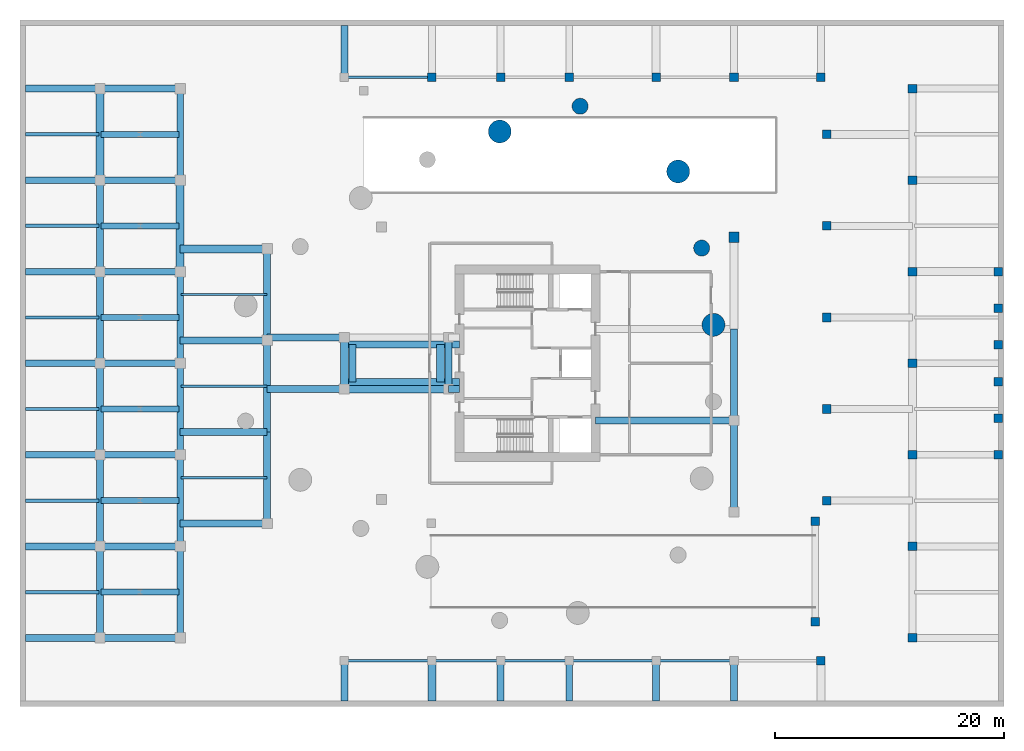
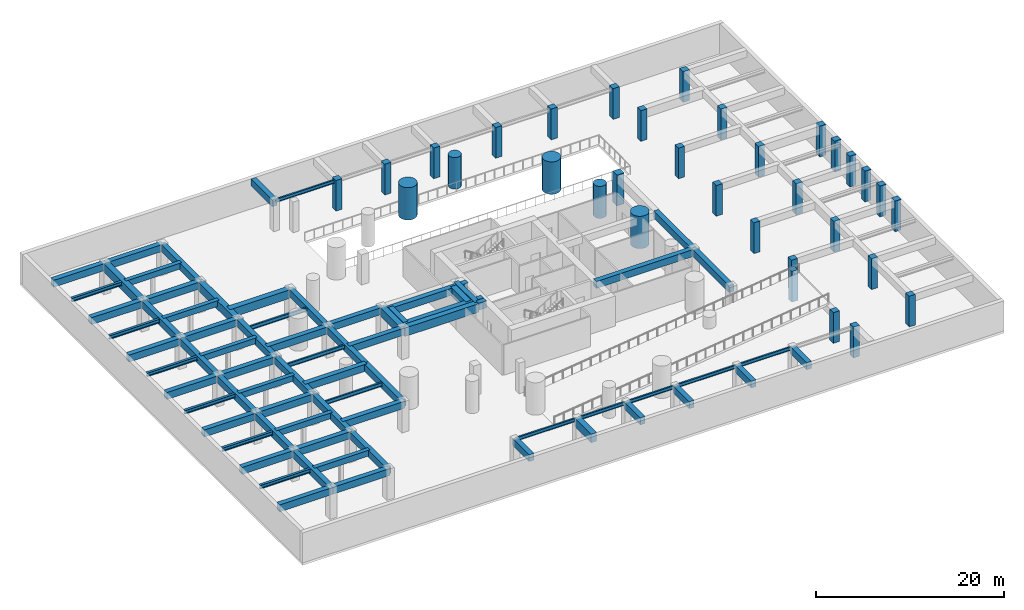
# One storey, part 4 of 10: 74 beams, 33 columns.
"""IFC4 building model written with IfcOpenShell, lengths in metres."""

from ifc_helpers import new_model, si_unit, direction, frame, origin, origin_2d, place, context, subcontext, project, spatial, rectangle, circle, i_section, extrude, source, transform, mapped, material, material_profile, profile_set, type_object, element, save


model = new_model("IFC4")

# Units and contexts
model_context = context("Model", 3, precision=1e-05, world=origin(), true_north=direction((0.0, 1.0)))
body_context = subcontext(model_context, "Body", "Model", "MODEL_VIEW")
ifc_project = project(units=[si_unit("LENGTHUNIT", "METRE"), si_unit("AREAUNIT", "SQUARE_METRE"), si_unit("VOLUMEUNIT", "CUBIC_METRE"), si_unit("PLANEANGLEUNIT", "RADIAN"), si_unit("MASSUNIT", "GRAM", prefix="KILO")], contexts=[model_context])

# Site, building, storey
site_placement = place(None, origin())
site = spatial("IfcSite", under=ifc_project, at=site_placement, CompositionType="ELEMENT")
building_placement = place(site_placement, origin())
building = spatial("IfcBuilding", under=site, at=building_placement, Name="Qafzar Sky-Pleat Residences", CompositionType="ELEMENT")
storey_placement = place(building_placement, frame((0.0, 0.0, -4.199951171875)))
storey = spatial("IfcBuildingStorey", under=building, at=storey_placement, Name="B01", CompositionType="ELEMENT", Elevation=-4.199951171875)

# Columns
ifc_material_1 = material(Name="Concrete C60/75", Category="concrete")
ifc_material_profile_1 = material_profile(ifc_material_1, circle(Radius=1.0, at=origin_2d()), Name="RC D2000")
ifc_profile_set_1 = profile_set([ifc_material_profile_1], Name="Concrete C60/75")
column_type_1 = type_object("IfcColumnType", Name="COL-STILT-D2000", PredefinedType="COLUMN", material=ifc_profile_set_1)
shared_shape_1 = source(origin(), body_context, "Body", "SweptSolid", [
    extrude(circle(Radius=1.0, at=origin_2d()), origin(), (0.0, 0.0, 1.0), 4.195068359375),
])
for number, where, z_axis, x_axis, name in (
    (1, (46.610107421875, 29.357421875, 0.0), (0.0, 0.0, 1.0), (1.0, 0.0, 0.0), "B01 Mega-Column STILT-06"),
    (2, (43.522216796875, 42.759765625, 0.0), (0.0, 0.0, 1.0), (1.0, 0.0, 0.0), "B01 Mega-Column STILT-07"),
    (3, (27.928466796875, 46.256103515625, 0.0), (0.0, 0.0, 1.0), (1.0, 0.0, 0.0), "B01 Mega-Column STILT-08"),
):
    element("IfcColumn", number, at=place(storey_placement, frame(where, z_axis=z_axis, x_axis=x_axis)), inside=storey, type_object=column_type_1, Name=name, PredefinedType="COLUMN", context=body_context, shape_type="MappedRepresentation", body=[
        mapped(shared_shape_1, transform((0.0, 0.0, 0.0), x_axis=(1.0, 0.0, 0.0), y_axis=(0.0, 1.0, 0.0), z_axis=(0.0, 0.0, 1.0), scale=1.0)),
    ])
ifc_material_profile_2 = material_profile(ifc_material_1, circle(Radius=0.699951171875, at=origin_2d()), Name="RC D1400")
ifc_profile_set_2 = profile_set([ifc_material_profile_2], Name="Concrete C60/75")
column_type_2 = type_object("IfcColumnType", Name="COL-MEGA-D1400", PredefinedType="COLUMN", material=ifc_profile_set_2)
shared_shape_2 = source(origin(), body_context, "Body", "SweptSolid", [
    extrude(circle(Radius=0.699951171875, at=origin_2d()), origin(), (0.0, 0.0, 1.0), 4.1572265625),
])
column_1_placement = place(storey_placement, frame((45.578125, 36.06591796875, 0.0), z_axis=(0.0, 0.0, 1.0), x_axis=(1.0, 0.0, 0.0)))
element("IfcColumn", 4, at=column_1_placement, inside=storey, type_object=column_type_2, Name="B01 Branch Mega-Column STILT-BR-06", PredefinedType="COLUMN", context=body_context, shape_type="MappedRepresentation", body=[
    mapped(shared_shape_2, transform((0.0, 0.0, 0.0), x_axis=(1.0, 0.0, 0.0), y_axis=(0.0, 1.0, 0.0), z_axis=(0.0, 0.0, 1.0), scale=1.0)),
])
shared_shape_3 = source(origin(), body_context, "Body", "SweptSolid", [
    extrude(circle(Radius=0.699951171875, at=origin_2d()), origin(), (0.0, 0.0, 1.0), 4.091552734375),
])
column_2_placement = place(storey_placement, frame((34.951416015625, 48.462646484375, 0.0), z_axis=(0.0, 0.0, 1.0), x_axis=(1.0, 0.0, 0.0)))
element("IfcColumn", 5, at=column_2_placement, inside=storey, type_object=column_type_2, Name="B01 Branch Mega-Column STILT-BR-07", PredefinedType="COLUMN", context=body_context, shape_type="MappedRepresentation", body=[
    mapped(shared_shape_3, transform((0.0, 0.0, 0.0), x_axis=(1.0, 0.0, 0.0), y_axis=(0.0, 1.0, 0.0), z_axis=(0.0, 0.0, 1.0), scale=1.0)),
])
ifc_material_profile_3 = material_profile(ifc_material_1, rectangle(XDim=0.89990234375, YDim=0.89990234375, at=origin_2d()), Name="RC 900x900")
ifc_profile_set_3 = profile_set([ifc_material_profile_3], Name="Concrete C60/75")
column_type_3 = type_object("IfcColumnType", Name="COL-RC-900", PredefinedType="COLUMN", material=ifc_profile_set_3)
shared_shape_4 = source(origin(), body_context, "Body", "SweptSolid", [
    extrude(rectangle(XDim=0.89990234375, YDim=0.89990234375, at=origin_2d()), origin(), (0.0, 0.0, 1.0), 3.98486328125),
])
column_3_placement = place(storey_placement, frame((48.39990234375, 37.0, 0.0), z_axis=(0.0, 0.0, 1.0), x_axis=(1.0, 0.0, 0.0)))
element("IfcColumn", 6, at=column_3_placement, inside=storey, type_object=column_type_3, Name="B01 Substructure Column 20", PredefinedType="COLUMN", context=body_context, shape_type="MappedRepresentation", body=[
    mapped(shared_shape_4, transform((0.0, 0.0, 0.0), x_axis=(1.0, 0.0, 0.0), y_axis=(0.0, 1.0, 0.0), z_axis=(0.0, 0.0, 1.0), scale=1.0)),
])
ifc_material_profile_4 = material_profile(ifc_material_1, rectangle(XDim=0.75, YDim=0.75, at=origin_2d()), Name="RC 750x750")
ifc_profile_set_4 = profile_set([ifc_material_profile_4], Name="Concrete C60/75")
column_type_4 = type_object("IfcColumnType", Name="COL-RC-750", PredefinedType="COLUMN", material=ifc_profile_set_4)
shared_shape_5 = source(origin(), body_context, "Body", "SweptSolid", [
    extrude(rectangle(XDim=0.75, YDim=0.75, at=origin_2d()), origin(), (0.0, 0.0, 1.0), 3.98486328125),
])
for number, where, z_axis, x_axis, name in (
    (7, (56.0, 0.0, 0.0), (0.0, 0.0, 1.0), (1.0, 0.0, 0.0), "B01 Substructure Column 35"),
    (8, (22.0, 51.0, 0.0), (0.0, 0.0, 1.0), (1.0, 0.0, 0.0), "B01 Substructure Column 37"),
    (9, (28.0, 51.0, 0.0), (0.0, 0.0, 1.0), (1.0, 0.0, 0.0), "B01 Substructure Column 38"),
    (10, (34.0, 51.0, 0.0), (0.0, 0.0, 1.0), (1.0, 0.0, 0.0), "B01 Substructure Column 39"),
    (11, (41.60009765625, 51.0, 0.0), (0.0, 0.0, 1.0), (1.0, 0.0, 0.0), "B01 Substructure Column 40"),
    (12, (48.39990234375, 51.0, 0.0), (0.0, 0.0, 1.0), (1.0, 0.0, 0.0), "B01 Substructure Column 41"),
    (13, (56.0, 51.0, 0.0), (0.0, 0.0, 1.0), (1.0, 0.0, 0.0), "B01 Substructure Column 42"),
    (14, (55.5, 3.39990234375, 0.0), (0.0, 0.0, 1.0), (1.0, 0.0, 0.0), "B01 Substructure Column 43"),
    (15, (55.5, 12.199951171875, 0.0), (0.0, 0.0, 1.0), (1.0, 0.0, 0.0), "B01 Substructure Column 44"),
    (16, (56.5, 14.0, 0.0), (0.0, 0.0, 1.0), (1.0, 0.0, 0.0), "B01 Substructure Column 45"),
    (17, (56.5, 22.0, 0.0), (0.0, 0.0, 1.0), (1.0, 0.0, 0.0), "B01 Substructure Column 46"),
    (18, (56.5, 30.0, 0.0), (0.0, 0.0, 1.0), (1.0, 0.0, 0.0), "B01 Substructure Column 47"),
    (19, (56.5, 38.0, 0.0), (0.0, 0.0, 1.0), (1.0, 0.0, 0.0), "B01 Substructure Column 48"),
    (20, (56.5, 46.0, 0.0), (0.0, 0.0, 1.0), (1.0, 0.0, 0.0), "B01 Substructure Column 49"),
    (21, (64.0, 2.0, 0.0), (0.0, 0.0, 1.0), (1.0, 0.0, 0.0), "B01 Substructure Column 50"),
    (22, (64.0, 10.0, 0.0), (0.0, 0.0, 1.0), (1.0, 0.0, 0.0), "B01 Substructure Column 51"),
    (23, (64.0, 18.0, 0.0), (0.0, 0.0, 1.0), (1.0, 0.0, 0.0), "B01 Substructure Column 52"),
    (24, (64.0, 26.0, 0.0), (0.0, 0.0, 1.0), (1.0, 0.0, 0.0), "B01 Substructure Column 53"),
    (25, (64.0, 34.0, 0.0), (0.0, 0.0, 1.0), (1.0, 0.0, 0.0), "B01 Substructure Column 54"),
    (26, (64.0, 42.0, 0.0), (0.0, 0.0, 1.0), (1.0, 0.0, 0.0), "B01 Substructure Column 55"),
    (27, (64.0, 50.0, 0.0), (0.0, 0.0, 1.0), (1.0, 0.0, 0.0), "B01 Substructure Column 56"),
    (28, (71.5, 18.0, 0.0), (0.0, 0.0, 1.0), (1.0, 0.0, 0.0), "B01 Substructure Column 57"),
    (29, (71.5, 21.199951171875, 0.0), (0.0, 0.0, 1.0), (1.0, 0.0, 0.0), "B01 Substructure Column 58"),
    (30, (71.5, 24.39990234375, 0.0), (0.0, 0.0, 1.0), (1.0, 0.0, 0.0), "B01 Substructure Column 59"),
    (31, (71.5, 27.60009765625, 0.0), (0.0, 0.0, 1.0), (1.0, 0.0, 0.0), "B01 Substructure Column 60"),
    (32, (71.5, 30.800048828125, 0.0), (0.0, 0.0, 1.0), (1.0, 0.0, 0.0), "B01 Substructure Column 61"),
    (33, (71.5, 34.0, 0.0), (0.0, 0.0, 1.0), (1.0, 0.0, 0.0), "B01 Substructure Column 62"),
):
    element("IfcColumn", number, at=place(storey_placement, frame(where, z_axis=z_axis, x_axis=x_axis)), inside=storey, type_object=column_type_4, Name=name, PredefinedType="COLUMN", context=body_context, shape_type="MappedRepresentation", body=[
        mapped(shared_shape_5, transform((0.0, 0.0, 0.0), x_axis=(1.0, 0.0, 0.0), y_axis=(0.0, 1.0, 0.0), z_axis=(0.0, 0.0, 1.0), scale=1.0)),
    ])

# Beams
ifc_material_2 = material(Name="Concrete C50/60", Category="concrete")
ifc_material_profile_5 = material_profile(ifc_material_2, rectangle(XDim=0.60009765625, YDim=0.89990234375, at=origin_2d()), Name="RC 600x900")
ifc_profile_set_5 = profile_set([ifc_material_profile_5], Name="Concrete C50/60")
beam_type_1 = type_object("IfcBeamType", Name="BM-RC-600x900", PredefinedType="BEAM", material=ifc_profile_set_5)
shared_shape_6 = source(origin(), body_context, "Body", "SweptSolid", [
    extrude(rectangle(XDim=0.60009765625, YDim=0.89990234375, at=origin_2d()), origin(), (0.0, 0.0, 1.0), 6.5),
])
for number, where, z_axis, x_axis, name in (
    (34, (-13.5, 2.0, 3.449951171875), (1.0, 0.0, 0.0), (0.0, 1.0, 0.0), "B01 Basement Girder 1"),
    (35, (-13.5, 10.0, 3.449951171875), (1.0, 0.0, 0.0), (0.0, 1.0, 0.0), "B01 Basement Girder 2"),
    (36, (-13.5, 18.0, 3.449951171875), (1.0, 0.0, 0.0), (0.0, 1.0, 0.0), "B01 Basement Girder 3"),
    (37, (-13.5, 26.0, 3.449951171875), (1.0, 0.0, 0.0), (0.0, 1.0, 0.0), "B01 Basement Girder 4"),
    (38, (-13.5, 34.0, 3.449951171875), (1.0, 0.0, 0.0), (0.0, 1.0, 0.0), "B01 Basement Girder 5"),
    (39, (-13.5, 42.0, 3.449951171875), (1.0, 0.0, 0.0), (0.0, 1.0, 0.0), "B01 Basement Girder 6"),
    (40, (-13.5, 50.0, 3.449951171875), (1.0, 0.0, 0.0), (0.0, 1.0, 0.0), "B01 Basement Girder 7"),
):
    element("IfcBeam", number, at=place(storey_placement, frame(where, z_axis=z_axis, x_axis=x_axis)), inside=storey, type_object=beam_type_1, Name=name, PredefinedType="BEAM", context=body_context, shape_type="MappedRepresentation", body=[
        mapped(shared_shape_6, transform((0.0, 0.0, 0.0), x_axis=(1.0, 0.0, 0.0), y_axis=(0.0, 1.0, 0.0), z_axis=(0.0, 0.0, 1.0), scale=1.0)),
    ])
shared_shape_7 = source(origin(), body_context, "Body", "SweptSolid", [
    extrude(rectangle(XDim=0.60009765625, YDim=0.89990234375, at=origin_2d()), origin(), (0.0, 0.0, 1.0), 7.0),
])
for number, where, z_axis, x_axis, name in (
    (41, (-7.0, 2.0, 3.449951171875), (1.0, 0.0, 0.0), (0.0, 1.0, 0.0), "B01 Basement Girder 8"),
    (42, (-7.0, 10.0, 3.449951171875), (1.0, 0.0, 0.0), (0.0, 1.0, 0.0), "B01 Basement Girder 9"),
    (43, (-7.0, 18.0, 3.449951171875), (1.0, 0.0, 0.0), (0.0, 1.0, 0.0), "B01 Basement Girder 10"),
    (44, (-7.0, 26.0, 3.449951171875), (1.0, 0.0, 0.0), (0.0, 1.0, 0.0), "B01 Basement Girder 11"),
    (45, (-7.0, 34.0, 3.449951171875), (1.0, 0.0, 0.0), (0.0, 1.0, 0.0), "B01 Basement Girder 12"),
    (46, (-7.0, 42.0, 3.449951171875), (1.0, 0.0, 0.0), (0.0, 1.0, 0.0), "B01 Basement Girder 13"),
    (47, (-7.0, 50.0, 3.449951171875), (1.0, 0.0, 0.0), (0.0, 1.0, 0.0), "B01 Basement Girder 14"),
):
    element("IfcBeam", number, at=place(storey_placement, frame(where, z_axis=z_axis, x_axis=x_axis)), inside=storey, type_object=beam_type_1, Name=name, PredefinedType="BEAM", context=body_context, shape_type="MappedRepresentation", body=[
        mapped(shared_shape_7, transform((0.0, 0.0, 0.0), x_axis=(1.0, 0.0, 0.0), y_axis=(0.0, 1.0, 0.0), z_axis=(0.0, 0.0, 1.0), scale=1.0)),
    ])
shared_shape_8 = source(origin(), body_context, "Body", "SweptSolid", [
    extrude(rectangle(XDim=0.60009765625, YDim=0.89990234375, at=origin_2d()), origin(), (0.0, 0.0, 1.0), 8.0),
])
for number, where, z_axis, x_axis, name in (
    (48, (-7.0, 2.0, 3.449951171875), (0.0, 1.0, 0.0), (-1.0, 0.0, 0.0), "B01 Basement Girder 15"),
    (49, (-7.0, 10.0, 3.449951171875), (0.0, 1.0, 0.0), (-1.0, 0.0, 0.0), "B01 Basement Girder 16"),
    (50, (-7.0, 18.0, 3.449951171875), (0.0, 1.0, 0.0), (-1.0, 0.0, 0.0), "B01 Basement Girder 17"),
    (51, (-7.0, 26.0, 3.449951171875), (0.0, 1.0, 0.0), (-1.0, 0.0, 0.0), "B01 Basement Girder 18"),
    (52, (-7.0, 34.0, 3.449951171875), (0.0, 1.0, 0.0), (-1.0, 0.0, 0.0), "B01 Basement Girder 19"),
    (53, (0.0, 2.0, 3.449951171875), (0.0, 1.0, 0.0), (-1.0, 0.0, 0.0), "B01 Basement Girder 21"),
    (54, (0.0, 10.0, 3.449951171875), (0.0, 1.0, 0.0), (-1.0, 0.0, 0.0), "B01 Basement Girder 22"),
    (55, (0.0, 18.0, 3.449951171875), (0.0, 1.0, 0.0), (-1.0, 0.0, 0.0), "B01 Basement Girder 23"),
    (56, (0.0, 26.0, 3.449951171875), (0.0, 1.0, 0.0), (-1.0, 0.0, 0.0), "B01 Basement Girder 24"),
    (57, (0.0, 42.0, 3.449951171875), (0.0, 1.0, 0.0), (-1.0, 0.0, 0.0), "B01 Basement Girder 26"),
    (58, (7.60009765625, 12.0, 3.449951171875), (0.0, 1.0, 0.0), (-1.0, 0.0, 0.0), "B01 Basement Girder 31"),
    (59, (7.60009765625, 20.0, 3.449951171875), (0.0, 1.0, 0.0), (-1.0, 0.0, 0.0), "B01 Basement Girder 32"),
    (60, (7.60009765625, 28.0, 3.449951171875), (0.0, 1.0, 0.0), (-1.0, 0.0, 0.0), "B01 Basement Girder 33"),
    (61, (48.39990234375, 13.0, 3.449951171875), (0.0, 1.0, 0.0), (-1.0, 0.0, 0.0), "B01 Basement Girder 48"),
    (62, (48.39990234375, 21.0, 3.449951171875), (0.0, 1.0, 0.0), (-1.0, 0.0, 0.0), "B01 Basement Girder 49"),
):
    element("IfcBeam", number, at=place(storey_placement, frame(where, z_axis=z_axis, x_axis=x_axis)), inside=storey, type_object=beam_type_1, Name=name, PredefinedType="BEAM", context=body_context, shape_type="MappedRepresentation", body=[
        mapped(shared_shape_8, transform((0.0, 0.0, 0.0), x_axis=(1.0, 0.0, 0.0), y_axis=(0.0, 1.0, 0.0), z_axis=(0.0, 0.0, 1.0), scale=1.0)),
    ])
ifc_material_profile_6 = material_profile(ifc_material_2, rectangle(XDim=0.699951171875, YDim=1.10009765625, at=origin_2d()), Name="RC 700x1100")
ifc_profile_set_6 = profile_set([ifc_material_profile_6], Name="Concrete C50/60")
beam_type_2 = type_object("IfcBeamType", Name="BM-RC-700x1100", PredefinedType="BEAM", material=ifc_profile_set_6)
shared_shape_9 = source(origin(), body_context, "Body", "SweptSolid", [
    extrude(rectangle(XDim=0.699951171875, YDim=1.10009765625, at=origin_2d()), origin(), (0.0, 0.0, 1.0), 8.0),
])
for number, where, z_axis, x_axis, name in (
    (63, (-7.0, 42.0, 3.349853515625), (0.0, 1.0, 0.0), (-1.0, 0.0, 0.0), "B01 Basement Girder 20"),
    (64, (0.0, 34.0, 3.349853515625), (0.0, 1.0, 0.0), (-1.0, 0.0, 0.0), "B01 Basement Girder 25"),
):
    element("IfcBeam", number, at=place(storey_placement, frame(where, z_axis=z_axis, x_axis=x_axis)), inside=storey, type_object=beam_type_2, Name=name, PredefinedType="BEAM", context=body_context, shape_type="MappedRepresentation", body=[
        mapped(shared_shape_9, transform((0.0, 0.0, 0.0), x_axis=(1.0, 0.0, 0.0), y_axis=(0.0, 1.0, 0.0), z_axis=(0.0, 0.0, 1.0), scale=1.0)),
    ])
shared_shape_10 = source(origin(), body_context, "Body", "SweptSolid", [
    extrude(rectangle(XDim=0.60009765625, YDim=0.89990234375, at=origin_2d()), origin(), (0.0, 0.0, 1.0), 7.60009765625),
])
for number, where, z_axis, x_axis, name in (
    (65, (0.0, 12.0, 3.449951171875), (1.0, 0.0, 0.0), (0.0, 1.0, 0.0), "B01 Basement Girder 27"),
    (66, (0.0, 20.0, 3.449951171875), (1.0, 0.0, 0.0), (0.0, 1.0, 0.0), "B01 Basement Girder 28"),
    (67, (0.0, 28.0, 3.449951171875), (1.0, 0.0, 0.0), (0.0, 1.0, 0.0), "B01 Basement Girder 29"),
):
    element("IfcBeam", number, at=place(storey_placement, frame(where, z_axis=z_axis, x_axis=x_axis)), inside=storey, type_object=beam_type_1, Name=name, PredefinedType="BEAM", context=body_context, shape_type="MappedRepresentation", body=[
        mapped(shared_shape_10, transform((0.0, 0.0, 0.0), x_axis=(1.0, 0.0, 0.0), y_axis=(0.0, 1.0, 0.0), z_axis=(0.0, 0.0, 1.0), scale=1.0)),
    ])
shared_shape_11 = source(origin(), body_context, "Body", "SweptSolid", [
    extrude(rectangle(XDim=0.699951171875, YDim=1.10009765625, at=origin_2d()), origin(), (0.0, 0.0, 1.0), 7.60009765625),
])
beam_1_placement = place(storey_placement, frame((0.0, 36.0, 3.349853515625), z_axis=(1.0, 0.0, 0.0), x_axis=(0.0, 1.0, 0.0)))
element("IfcBeam", 68, at=beam_1_placement, inside=storey, type_object=beam_type_2, Name="B01 Basement Girder 30", PredefinedType="BEAM", context=body_context, shape_type="MappedRepresentation", body=[
    mapped(shared_shape_11, transform((0.0, 0.0, 0.0), x_axis=(1.0, 0.0, 0.0), y_axis=(0.0, 1.0, 0.0), z_axis=(0.0, 0.0, 1.0), scale=1.0)),
])
shared_shape_12 = source(origin(), body_context, "Body", "SweptSolid", [
    extrude(rectangle(XDim=0.60009765625, YDim=0.89990234375, at=origin_2d()), origin(), (0.0, 0.0, 1.0), 6.75),
])
for number, where, z_axis, x_axis, name in (
    (69, (7.60009765625, 23.75, 3.449951171875), (1.0, 0.0, 0.0), (0.0, 1.0, 0.0), "B01 Basement Girder 34"),
    (70, (7.60009765625, 28.25, 3.449951171875), (1.0, 0.0, 0.0), (0.0, 1.0, 0.0), "B01 Basement Girder 37"),
):
    element("IfcBeam", number, at=place(storey_placement, frame(where, z_axis=z_axis, x_axis=x_axis)), inside=storey, type_object=beam_type_1, Name=name, PredefinedType="BEAM", context=body_context, shape_type="MappedRepresentation", body=[
        mapped(shared_shape_12, transform((0.0, 0.0, 0.0), x_axis=(1.0, 0.0, 0.0), y_axis=(0.0, 1.0, 0.0), z_axis=(0.0, 0.0, 1.0), scale=1.0)),
    ])
shared_shape_13 = source(origin(), body_context, "Body", "SweptSolid", [
    extrude(rectangle(XDim=0.699951171875, YDim=1.10009765625, at=origin_2d()), origin(), (0.0, 0.0, 1.0), 9.099853515625),
])
beam_2_placement = place(storey_placement, frame((14.35009765625, 23.75, 3.349853515625), z_axis=(1.0, 0.0, 0.0), x_axis=(0.0, 1.0, 0.0)))
element("IfcBeam", 71, at=beam_2_placement, inside=storey, type_object=beam_type_2, Name="B01 Basement Girder 35", PredefinedType="BEAM", context=body_context, shape_type="MappedRepresentation", body=[
    mapped(shared_shape_13, transform((0.0, 0.0, 0.0), x_axis=(1.0, 0.0, 0.0), y_axis=(0.0, 1.0, 0.0), z_axis=(0.0, 0.0, 1.0), scale=1.0)),
])
shared_shape_14 = source(origin(), body_context, "Body", "SweptSolid", [
    extrude(rectangle(XDim=0.60009765625, YDim=0.89990234375, at=origin_2d()), origin(), (0.0, 0.0, 1.0), 0.949951171875),
])
beam_3_placement = place(storey_placement, frame((23.449951171875, 23.75, 3.449951171875), z_axis=(1.0, 0.0, 0.0), x_axis=(0.0, 1.0, 0.0)))
element("IfcBeam", 72, at=beam_3_placement, inside=storey, type_object=beam_type_1, Name="B01 Basement Girder 36", PredefinedType="BEAM", context=body_context, shape_type="MappedRepresentation", body=[
    mapped(shared_shape_14, transform((0.0, 0.0, 0.0), x_axis=(1.0, 0.0, 0.0), y_axis=(0.0, 1.0, 0.0), z_axis=(0.0, 0.0, 1.0), scale=1.0)),
])
shared_shape_15 = source(origin(), body_context, "Body", "SweptSolid", [
    extrude(rectangle(XDim=0.699951171875, YDim=1.10009765625, at=origin_2d()), origin(), (0.0, 0.0, 1.0), 4.5),
])
beam_4_placement = place(storey_placement, frame((14.35009765625, 23.75, 3.349853515625), z_axis=(0.0, 1.0, 0.0), x_axis=(-1.0, 0.0, 0.0)))
element("IfcBeam", 73, at=beam_4_placement, inside=storey, type_object=beam_type_2, Name="B01 Basement Girder 40", PredefinedType="BEAM", context=body_context, shape_type="MappedRepresentation", body=[
    mapped(shared_shape_15, transform((0.0, 0.0, 0.0), x_axis=(1.0, 0.0, 0.0), y_axis=(0.0, 1.0, 0.0), z_axis=(0.0, 0.0, 1.0), scale=1.0)),
])
shared_shape_16 = source(origin(), body_context, "Body", "SweptSolid", [
    extrude(rectangle(XDim=0.60009765625, YDim=0.89990234375, at=origin_2d()), origin(), (0.0, 0.0, 1.0), 4.5),
])
for number, where, z_axis, x_axis, name in (
    (74, (23.449951171875, 23.75, 3.449951171875), (0.0, 1.0, 0.0), (-1.0, 0.0, 0.0), "B01 Basement Girder 41"),
    (75, (14.35009765625, 51.0, 3.449951171875), (0.0, 1.0, 0.0), (-1.0, 0.0, 0.0), "B01 Basement Girder 76"),
):
    element("IfcBeam", number, at=place(storey_placement, frame(where, z_axis=z_axis, x_axis=x_axis)), inside=storey, type_object=beam_type_1, Name=name, PredefinedType="BEAM", context=body_context, shape_type="MappedRepresentation", body=[
        mapped(shared_shape_16, transform((0.0, 0.0, 0.0), x_axis=(1.0, 0.0, 0.0), y_axis=(0.0, 1.0, 0.0), z_axis=(0.0, 0.0, 1.0), scale=1.0)),
    ])
shared_shape_17 = source(origin(), body_context, "Body", "SweptSolid", [
    extrude(rectangle(XDim=0.60009765625, YDim=0.89990234375, at=origin_2d()), origin(), (0.0, 0.0, 1.0), 12.099853515625),
])
beam_5_placement = place(storey_placement, frame((36.300048828125, 21.0, 3.449951171875), z_axis=(1.0, 0.0, 0.0), x_axis=(0.0, 1.0, 0.0)))
element("IfcBeam", 76, at=beam_5_placement, inside=storey, type_object=beam_type_1, Name="B01 Basement Girder 46", PredefinedType="BEAM", context=body_context, shape_type="MappedRepresentation", body=[
    mapped(shared_shape_17, transform((0.0, 0.0, 0.0), x_axis=(1.0, 0.0, 0.0), y_axis=(0.0, 1.0, 0.0), z_axis=(0.0, 0.0, 1.0), scale=1.0)),
])
shared_shape_18 = source(origin(), body_context, "Body", "SweptSolid", [
    extrude(rectangle(XDim=0.699951171875, YDim=1.10009765625, at=origin_2d()), origin(), (0.0, 0.0, 1.0), 3.5),
])
beam_6_placement = place(storey_placement, frame((22.0, -3.5, 3.349853515625), z_axis=(0.0, 1.0, 0.0), x_axis=(-1.0, 0.0, 0.0)))
element("IfcBeam", 77, at=beam_6_placement, inside=storey, type_object=beam_type_2, Name="B01 Basement Girder 70", PredefinedType="BEAM", context=body_context, shape_type="MappedRepresentation", body=[
    mapped(shared_shape_18, transform((0.0, 0.0, 0.0), x_axis=(1.0, 0.0, 0.0), y_axis=(0.0, 1.0, 0.0), z_axis=(0.0, 0.0, 1.0), scale=1.0)),
])
shared_shape_19 = source(origin(), body_context, "Body", "SweptSolid", [
    extrude(rectangle(XDim=0.60009765625, YDim=0.89990234375, at=origin_2d()), origin(), (0.0, 0.0, 1.0), 3.5),
])
for number, where, z_axis, x_axis, name in (
    (78, (14.35009765625, -3.5, 3.449951171875), (0.0, 1.0, 0.0), (-1.0, 0.0, 0.0), "B01 Basement Girder 69"),
    (79, (28.0, -3.5, 3.449951171875), (0.0, 1.0, 0.0), (-1.0, 0.0, 0.0), "B01 Basement Girder 71"),
    (80, (34.0, -3.5, 3.449951171875), (0.0, 1.0, 0.0), (-1.0, 0.0, 0.0), "B01 Basement Girder 72"),
    (81, (41.60009765625, -3.5, 3.449951171875), (0.0, 1.0, 0.0), (-1.0, 0.0, 0.0), "B01 Basement Girder 73"),
    (82, (48.39990234375, -3.5, 3.449951171875), (0.0, 1.0, 0.0), (-1.0, 0.0, 0.0), "B01 Basement Girder 74"),
):
    element("IfcBeam", number, at=place(storey_placement, frame(where, z_axis=z_axis, x_axis=x_axis)), inside=storey, type_object=beam_type_1, Name=name, PredefinedType="BEAM", context=body_context, shape_type="MappedRepresentation", body=[
        mapped(shared_shape_19, transform((0.0, 0.0, 0.0), x_axis=(1.0, 0.0, 0.0), y_axis=(0.0, 1.0, 0.0), z_axis=(0.0, 0.0, 1.0), scale=1.0)),
    ])
ifc_material_profile_7 = material_profile(ifc_material_2, rectangle(XDim=0.5, YDim=0.75, at=origin_2d()), Name="RC 500x750")
ifc_profile_set_7 = profile_set([ifc_material_profile_7], Name="Concrete C50/60")
beam_type_3 = type_object("IfcBeamType", Name="BM-RC-500x750", PredefinedType="BEAM", material=ifc_profile_set_7)
shared_shape_20 = source(origin(), body_context, "Body", "SweptSolid", [
    extrude(rectangle(XDim=0.5, YDim=0.75, at=origin_2d()), origin(), (0.0, 0.0, 1.0), 6.81982421875),
])
for number, where, z_axis, x_axis, name in (
    (83, (-6.909912109375, 6.0, 3.52490234375), (1.0, 0.0, 0.0), (0.0, 1.0, 0.0), "B01 Basement Secondary Concrete Beam 1"),
    (84, (-6.909912109375, 14.0, 3.52490234375), (1.0, 0.0, 0.0), (0.0, 1.0, 0.0), "B01 Basement Secondary Concrete Beam 2"),
    (85, (-6.909912109375, 22.0, 3.52490234375), (1.0, 0.0, 0.0), (0.0, 1.0, 0.0), "B01 Basement Secondary Concrete Beam 3"),
    (86, (-6.909912109375, 30.0, 3.52490234375), (1.0, 0.0, 0.0), (0.0, 1.0, 0.0), "B01 Basement Secondary Concrete Beam 4"),
    (87, (-6.909912109375, 38.0, 3.52490234375), (1.0, 0.0, 0.0), (0.0, 1.0, 0.0), "B01 Basement Secondary Concrete Beam 5"),
    (88, (-6.909912109375, 46.0, 3.52490234375), (1.0, 0.0, 0.0), (0.0, 1.0, 0.0), "B01 Basement Secondary Concrete Beam 6"),
):
    element("IfcBeam", number, at=place(storey_placement, frame(where, z_axis=z_axis, x_axis=x_axis)), inside=storey, type_object=beam_type_3, Name=name, PredefinedType="BEAM", context=body_context, shape_type="MappedRepresentation", body=[
        mapped(shared_shape_20, transform((0.0, 0.0, 0.0), x_axis=(1.0, 0.0, 0.0), y_axis=(0.0, 1.0, 0.0), z_axis=(0.0, 0.0, 1.0), scale=1.0)),
    ])
ifc_material_3 = material(Name="Steel S355", Category="steel")
ifc_material_profile_8 = material_profile(ifc_material_3, i_section(OverallWidth=0.300048828125, OverallDepth=0.489990234375, WebThickness=0.011962890625, FlangeThickness=0.02294921875, FilletRadius=0.027099609375, at=origin_2d()), Name="HEA 500")
ifc_profile_set_8 = profile_set([ifc_material_profile_8], Name="Steel S355")
beam_type_4 = type_object("IfcBeamType", Name="BM-BASE-HEA500", PredefinedType="BEAM", material=ifc_profile_set_8)
shared_shape_21 = source(origin(), body_context, "Body", "SweptSolid", [
    extrude(i_section(OverallWidth=0.300048828125, OverallDepth=0.489990234375, WebThickness=0.011962890625, FlangeThickness=0.02294921875, FilletRadius=0.027099609375, at=origin_2d()), origin(), (0.0, 0.0, 1.0), 6.409912109375),
])
for number, where, z_axis, x_axis, name in (
    (89, (-13.5, 6.0, 3.65283203125), (1.0, 0.0, 0.0), (0.0, 1.0, 0.0), "B01 Basement Secondary Steel Beam 1"),
    (90, (-13.5, 14.0, 3.65283203125), (1.0, 0.0, 0.0), (0.0, 1.0, 0.0), "B01 Basement Secondary Steel Beam 2"),
    (91, (-13.5, 22.0, 3.65283203125), (1.0, 0.0, 0.0), (0.0, 1.0, 0.0), "B01 Basement Secondary Steel Beam 3"),
    (92, (-13.5, 30.0, 3.65283203125), (1.0, 0.0, 0.0), (0.0, 1.0, 0.0), "B01 Basement Secondary Steel Beam 4"),
    (93, (-13.5, 38.0, 3.65283203125), (1.0, 0.0, 0.0), (0.0, 1.0, 0.0), "B01 Basement Secondary Steel Beam 5"),
    (94, (-13.5, 46.0, 3.65283203125), (1.0, 0.0, 0.0), (0.0, 1.0, 0.0), "B01 Basement Secondary Steel Beam 6"),
):
    element("IfcBeam", number, at=place(storey_placement, frame(where, z_axis=z_axis, x_axis=x_axis)), inside=storey, type_object=beam_type_4, Name=name, PredefinedType="BEAM", context=body_context, shape_type="MappedRepresentation", body=[
        mapped(shared_shape_21, transform((0.0, 0.0, 0.0), x_axis=(1.0, 0.0, 0.0), y_axis=(0.0, 1.0, 0.0), z_axis=(0.0, 0.0, 1.0), scale=1.0)),
    ])
ifc_material_profile_9 = material_profile(ifc_material_3, i_section(OverallWidth=0.199951171875, OverallDepth=0.5, WebThickness=0.01025390625, FlangeThickness=0.01611328125, FilletRadius=0.02099609375, at=origin_2d()), Name="IPE 500")
ifc_profile_set_9 = profile_set([ifc_material_profile_9], Name="Steel S355")
beam_type_5 = type_object("IfcBeamType", Name="BM-SEC-IPE500", PredefinedType="BEAM", material=ifc_profile_set_9)
shared_shape_22 = source(origin(), body_context, "Body", "SweptSolid", [
    extrude(i_section(OverallWidth=0.199951171875, OverallDepth=0.5, WebThickness=0.01025390625, FlangeThickness=0.01611328125, FilletRadius=0.02099609375, at=origin_2d()), origin(), (0.0, 0.0, 1.0), 7.510009765625),
])
for number, where, z_axis, x_axis, name in (
    (95, (0.090087890625, 16.0, 3.64794921875), (1.0, 0.0, 0.0), (0.0, 1.0, 0.0), "B01 Basement Secondary Steel Beam 7"),
    (96, (0.090087890625, 24.0, 3.64794921875), (1.0, 0.0, 0.0), (0.0, 1.0, 0.0), "B01 Basement Secondary Steel Beam 8"),
    (97, (0.090087890625, 32.0, 3.64794921875), (1.0, 0.0, 0.0), (0.0, 1.0, 0.0), "B01 Basement Secondary Steel Beam 9"),
):
    element("IfcBeam", number, at=place(storey_placement, frame(where, z_axis=z_axis, x_axis=x_axis)), inside=storey, type_object=beam_type_5, Name=name, PredefinedType="BEAM", context=body_context, shape_type="MappedRepresentation", body=[
        mapped(shared_shape_22, transform((0.0, 0.0, 0.0), x_axis=(1.0, 0.0, 0.0), y_axis=(0.0, 1.0, 0.0), z_axis=(0.0, 0.0, 1.0), scale=1.0)),
    ])
ifc_material_profile_10 = material_profile(ifc_material_3, i_section(OverallWidth=0.18994140625, OverallDepth=0.449951171875, WebThickness=0.009521484375, FlangeThickness=0.0146484375, FilletRadius=0.02099609375, at=origin_2d()), Name="IPE 450")
ifc_profile_set_10 = profile_set([ifc_material_profile_10], Name="Steel S355")
beam_type_6 = type_object("IfcBeamType", Name="BM-SEC-IPE450", PredefinedType="BEAM", material=ifc_profile_set_10)
shared_shape_23 = source(origin(), body_context, "Body", "SweptSolid", [
    extrude(i_section(OverallWidth=0.18994140625, OverallDepth=0.449951171875, WebThickness=0.009521484375, FlangeThickness=0.0146484375, FilletRadius=0.02099609375, at=origin_2d()), origin(), (0.0, 0.0, 1.0), 7.469970703125),
])
for number, where, z_axis, x_axis, name in (
    (98, (14.43994140625, 0.0, 3.6728515625), (1.0, 0.0, 0.0), (0.0, 1.0, 0.0), "B01 Basement Secondary Steel Beam 16"),
    (99, (14.43994140625, 51.0, 3.6728515625), (1.0, 0.0, 0.0), (0.0, 1.0, 0.0), "B01 Basement Secondary Steel Beam 22"),
):
    element("IfcBeam", number, at=place(storey_placement, frame(where, z_axis=z_axis, x_axis=x_axis)), inside=storey, type_object=beam_type_6, Name=name, PredefinedType="BEAM", context=body_context, shape_type="MappedRepresentation", body=[
        mapped(shared_shape_23, transform((0.0, 0.0, 0.0), x_axis=(1.0, 0.0, 0.0), y_axis=(0.0, 1.0, 0.0), z_axis=(0.0, 0.0, 1.0), scale=1.0)),
    ])
shared_shape_24 = source(origin(), body_context, "Body", "SweptSolid", [
    extrude(i_section(OverallWidth=0.18994140625, OverallDepth=0.449951171875, WebThickness=0.009521484375, FlangeThickness=0.0146484375, FilletRadius=0.02099609375, at=origin_2d()), origin(), (0.0, 0.0, 1.0), 5.81982421875),
])
for number, where, z_axis, x_axis, name in (
    (100, (22.090087890625, 0.0, 3.6728515625), (1.0, 0.0, 0.0), (0.0, 1.0, 0.0), "B01 Basement Secondary Steel Beam 17"),
    (101, (28.090087890625, 0.0, 3.6728515625), (1.0, 0.0, 0.0), (0.0, 1.0, 0.0), "B01 Basement Secondary Steel Beam 18"),
):
    element("IfcBeam", number, at=place(storey_placement, frame(where, z_axis=z_axis, x_axis=x_axis)), inside=storey, type_object=beam_type_6, Name=name, PredefinedType="BEAM", context=body_context, shape_type="MappedRepresentation", body=[
        mapped(shared_shape_24, transform((0.0, 0.0, 0.0), x_axis=(1.0, 0.0, 0.0), y_axis=(0.0, 1.0, 0.0), z_axis=(0.0, 0.0, 1.0), scale=1.0)),
    ])
shared_shape_25 = source(origin(), body_context, "Body", "SweptSolid", [
    extrude(i_section(OverallWidth=0.18994140625, OverallDepth=0.449951171875, WebThickness=0.009521484375, FlangeThickness=0.0146484375, FilletRadius=0.02099609375, at=origin_2d()), origin(), (0.0, 0.0, 1.0), 7.419921875),
])
beam_7_placement = place(storey_placement, frame((34.090087890625, 0.0, 3.6728515625), z_axis=(1.0, 0.0, 0.0), x_axis=(0.0, 1.0, 0.0)))
element("IfcBeam", 102, at=beam_7_placement, inside=storey, type_object=beam_type_6, Name="B01 Basement Secondary Steel Beam 19", PredefinedType="BEAM", context=body_context, shape_type="MappedRepresentation", body=[
    mapped(shared_shape_25, transform((0.0, 0.0, 0.0), x_axis=(1.0, 0.0, 0.0), y_axis=(0.0, 1.0, 0.0), z_axis=(0.0, 0.0, 1.0), scale=1.0)),
])
shared_shape_26 = source(origin(), body_context, "Body", "SweptSolid", [
    extrude(i_section(OverallWidth=0.18994140625, OverallDepth=0.449951171875, WebThickness=0.009521484375, FlangeThickness=0.0146484375, FilletRadius=0.02099609375, at=origin_2d()), origin(), (0.0, 0.0, 1.0), 6.6201171875),
])
beam_8_placement = place(storey_placement, frame((41.68994140625, 0.0, 3.6728515625), z_axis=(1.0, 0.0, 0.0), x_axis=(0.0, 1.0, 0.0)))
element("IfcBeam", 103, at=beam_8_placement, inside=storey, type_object=beam_type_6, Name="B01 Basement Secondary Steel Beam 20", PredefinedType="BEAM", context=body_context, shape_type="MappedRepresentation", body=[
    mapped(shared_shape_26, transform((0.0, 0.0, 0.0), x_axis=(1.0, 0.0, 0.0), y_axis=(0.0, 1.0, 0.0), z_axis=(0.0, 0.0, 1.0), scale=1.0)),
])
shared_shape_27 = source(origin(), body_context, "Body", "SweptSolid", [
    extrude(rectangle(XDim=0.60009765625, YDim=0.89990234375, at=origin_2d()), origin(), (0.0, 0.0, 1.0), 10.0498046875),
])
for number, where, z_axis, x_axis, name in (
    (104, (14.35009765625, 24.375, 3.449951171875), (1.0, 0.0, 0.0), (0.0, 1.0, 0.0), "B01 Basement Girder 42"),
    (105, (14.35009765625, 27.625, 3.449951171875), (1.0, 0.0, 0.0), (0.0, 1.0, 0.0), "B01 Basement Girder 43"),
):
    element("IfcBeam", number, at=place(storey_placement, frame(where, z_axis=z_axis, x_axis=x_axis)), inside=storey, type_object=beam_type_1, Name=name, PredefinedType="BEAM", context=body_context, shape_type="MappedRepresentation", body=[
        mapped(shared_shape_27, transform((0.0, 0.0, 0.0), x_axis=(1.0, 0.0, 0.0), y_axis=(0.0, 1.0, 0.0), z_axis=(0.0, 0.0, 1.0), scale=1.0)),
    ])
shared_shape_28 = source(origin(), body_context, "Body", "SweptSolid", [
    extrude(rectangle(XDim=0.60009765625, YDim=0.89990234375, at=origin_2d()), origin(), (0.0, 0.0, 1.0), 3.25),
])
beam_9_placement = place(storey_placement, frame((15.050048828125, 24.375, 3.449951171875), z_axis=(0.0, 1.0, 0.0), x_axis=(-1.0, 0.0, 0.0)))
element("IfcBeam", 106, at=beam_9_placement, inside=storey, type_object=beam_type_1, Name="B01 Basement Girder 44", PredefinedType="BEAM", context=body_context, shape_type="MappedRepresentation", body=[
    mapped(shared_shape_28, transform((0.0, 0.0, 0.0), x_axis=(1.0, 0.0, 0.0), y_axis=(0.0, 1.0, 0.0), z_axis=(0.0, 0.0, 1.0), scale=1.0)),
])
shared_shape_29 = source(origin(), body_context, "Body", "SweptSolid", [
    extrude(rectangle(XDim=0.699951171875, YDim=1.10009765625, at=origin_2d()), origin(), (0.0, 0.0, 1.0), 3.25),
])
beam_10_placement = place(storey_placement, frame((22.75, 24.375, 3.349853515625), z_axis=(0.0, 1.0, 0.0), x_axis=(-1.0, 0.0, 0.0)))
element("IfcBeam", 107, at=beam_10_placement, inside=storey, type_object=beam_type_2, Name="B01 Basement Girder 45", PredefinedType="BEAM", context=body_context, shape_type="MappedRepresentation", body=[
    mapped(shared_shape_29, transform((0.0, 0.0, 0.0), x_axis=(1.0, 0.0, 0.0), y_axis=(0.0, 1.0, 0.0), z_axis=(0.0, 0.0, 1.0), scale=1.0)),
])

save(model, "model.ifc")
